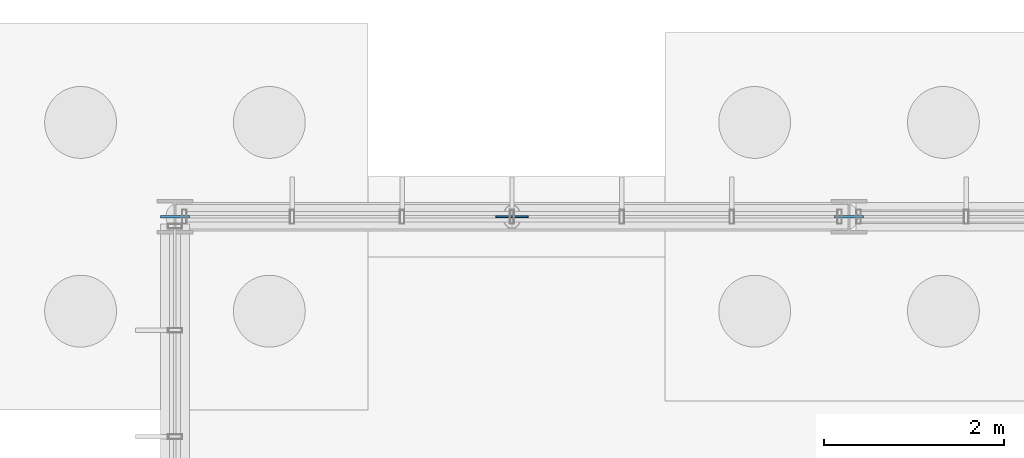
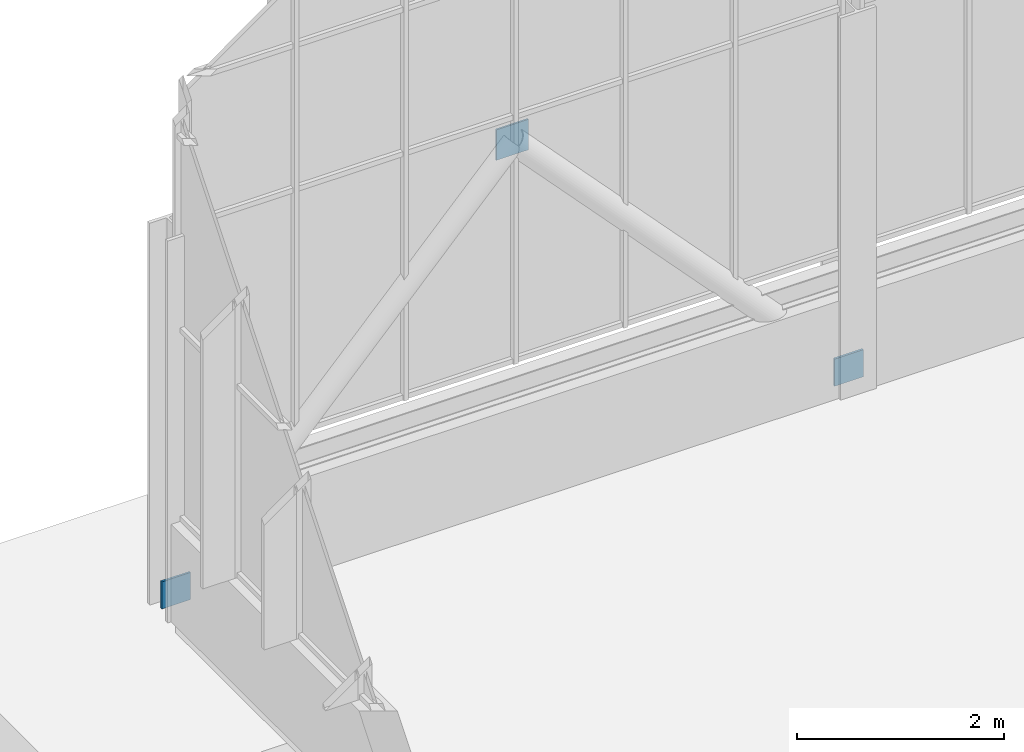
# One storey, part 103 of 136: 3 plates.
"""IFC4 building model written with IfcOpenShell, lengths in metres."""

from ifc_helpers import new_model, si_unit, direction, frame, origin, origin_2d, place, context, subcontext, project, spatial, rectangle, extrude, material, layer, layer_set, type_object, element, save


model = new_model("IFC4")

# Units and contexts
model_context = context("Model", 3, precision=1e-05, world=origin(), true_north=direction((0.0, 1.0)))
body_context = subcontext(model_context, "Body", "Model", "MODEL_VIEW")
ifc_project = project(units=[si_unit("LENGTHUNIT", "METRE"), si_unit("AREAUNIT", "SQUARE_METRE"), si_unit("VOLUMEUNIT", "CUBIC_METRE"), si_unit("PLANEANGLEUNIT", "RADIAN"), si_unit("MASSUNIT", "GRAM", prefix="KILO")], contexts=[model_context])

# Site, building, storey
site_placement = place(None, origin())
site = spatial("IfcSite", under=ifc_project, at=site_placement, CompositionType="ELEMENT")
building_placement = place(site_placement, origin())
building = spatial("IfcBuilding", under=site, at=building_placement, Name="Solvenia Promenade Tram Depot", CompositionType="ELEMENT")
storey_placement = place(building_placement, origin())
storey = spatial("IfcBuildingStorey", under=building, at=storey_placement, Name="L00", CompositionType="ELEMENT", Elevation=0.0)

# Plates
ifc_material = material(Name="Structural steel ASTM A572 Gr. 50", Category="steel")
ifc_layer = layer(ifc_material, 0.02392578125, Name="Structural steel ASTM A572 Gr. 50", Category="steel")
ifc_layer_set = layer_set([ifc_layer], Name="Structural steel ASTM A572 Gr. 50")
plate_type = type_object("IfcPlateType", Name="EndCap-CP1", PredefinedType="SHEET", material=ifc_layer_set)
plate_placement = place(storey_placement, frame((3.75, 126.0, 4.02001953125), z_axis=(0.0, 0.0, 1.0), x_axis=(1.0, 0.0, 0.0)))
element("IfcPlate", 1, at=plate_placement, inside=storey, type_object=plate_type, Name="Chevron Gusset Cap Plate 03", PredefinedType="SHEET", context=body_context, shape_type="SweptSolid", body=[
    extrude(rectangle(XDim=0.360107421875, YDim=0.02001953125, at=origin_2d()), origin(), (0.0, 0.0, 1.0), 0.360107421875),
])
for number, where, z_axis, x_axis, name in (
    (2, (0.0, 126.0, 0.0400390625), (0.0, 0.0, 1.0), (1.0, 0.0, 0.0), "Chevron Left Foot Gusset Plate 03"),
    (3, (7.5, 126.0, 0.0400390625), (0.0, 0.0, 1.0), (1.0, 0.0, 0.0), "Chevron Right Foot Gusset Plate 03"),
):
    element("IfcPlate", number, at=place(storey_placement, frame(where, z_axis=z_axis, x_axis=x_axis)), inside=storey, type_object=plate_type, Name=name, PredefinedType="SHEET", context=body_context, shape_type="SweptSolid", body=[
        extrude(rectangle(XDim=0.320068359375, YDim=0.02392578125, at=origin_2d()), origin(), (0.0, 0.0, 1.0), 0.320068359375),
    ])

save(model, "model.ifc")
